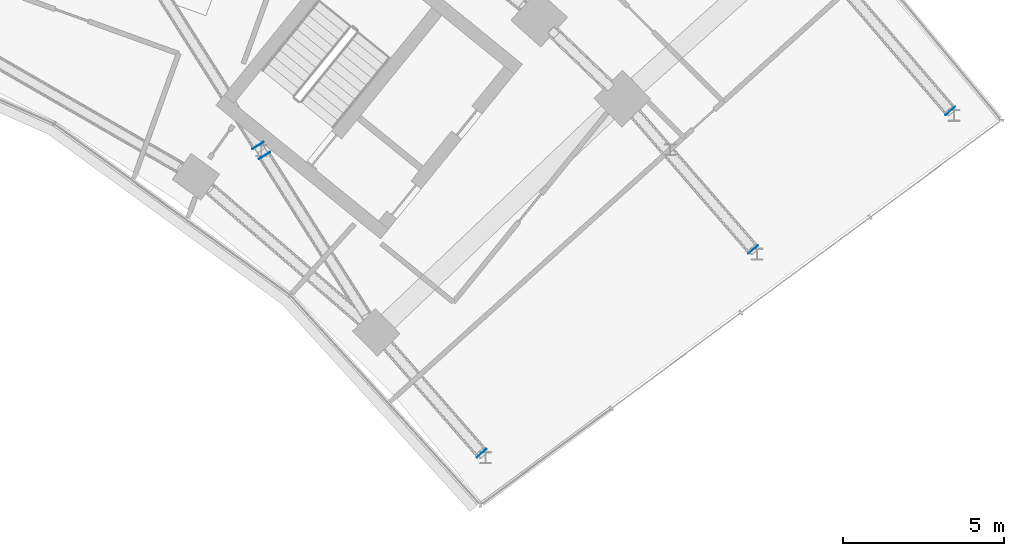
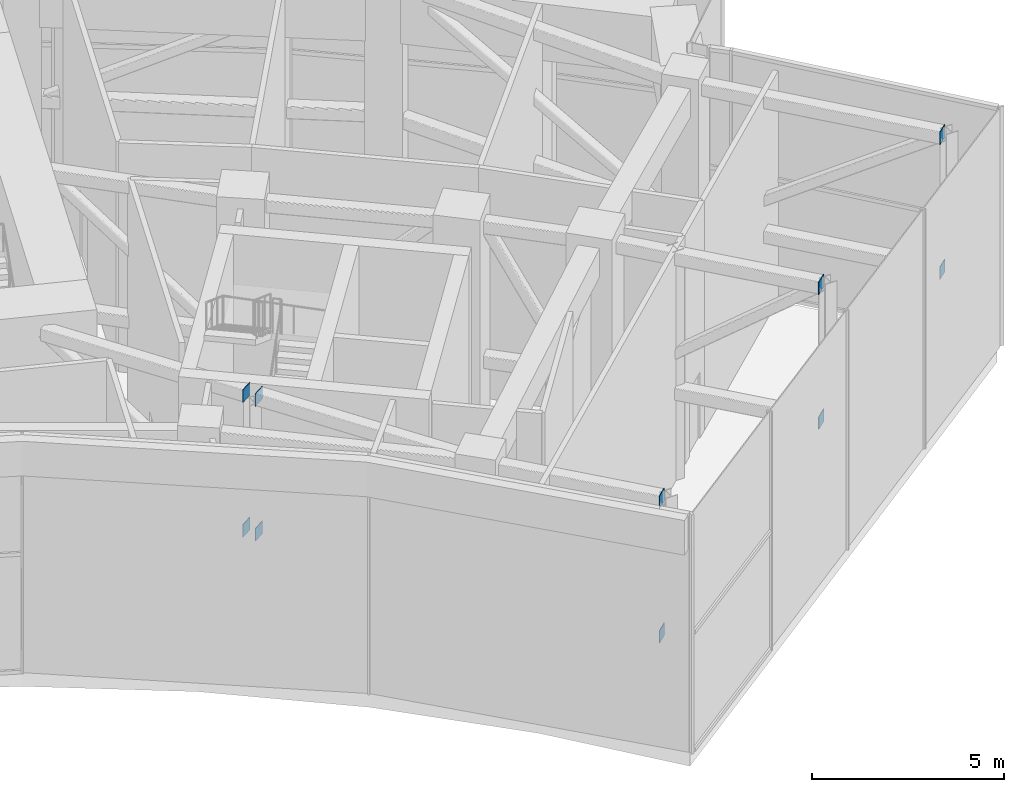
# One storey, part 22 of 32: 10 plates.
"""IFC4 building model written with IfcOpenShell, lengths in metres."""

from ifc_helpers import new_model, si_unit, direction, frame, origin, origin_2d, place, context, subcontext, project, spatial, rectangle, extrude, material, layer, layer_set, type_object, element, save


model = new_model("IFC4")

# Units and contexts
model_context = context("Model", 3, precision=1e-05, world=origin(), true_north=direction((0.0, 1.0)))
body_context = subcontext(model_context, "Body", "Model", "MODEL_VIEW")
ifc_project = project(units=[si_unit("LENGTHUNIT", "METRE"), si_unit("AREAUNIT", "SQUARE_METRE"), si_unit("VOLUMEUNIT", "CUBIC_METRE"), si_unit("PLANEANGLEUNIT", "RADIAN"), si_unit("MASSUNIT", "GRAM", prefix="KILO")], contexts=[model_context])

# Site, building, storey
site_placement = place(None, origin())
site = spatial("IfcSite", under=ifc_project, at=site_placement, CompositionType="ELEMENT")
building_placement = place(site_placement, origin())
building = spatial("IfcBuilding", under=site, at=building_placement, Name="Stone Belt Terrace Tower", CompositionType="ELEMENT")
storey_placement = place(building_placement, frame((0.0, 0.0, 193.39990234375)))
storey = spatial("IfcBuildingStorey", under=building, at=storey_placement, Name="L47", CompositionType="ELEMENT", Elevation=193.39990234375)

# Plates
ifc_material = material(Name="Structural steel C345", Category="steel")
ifc_layer = layer(ifc_material, 0.02001953125)
ifc_layer_set = layer_set([ifc_layer], Name="Chord end plate 20")
plate_type = type_object("IfcPlateType", Name="Chord end plate 20", PredefinedType="SHEET", material=ifc_layer_set)
for number, where, z_axis, x_axis, name in (
    (1, (35.01123046875, 27.361328125, 6.880126953125), (0.0, 0.0, 1.0), (0.65741470138, -0.753528971181, 0.0), "Chord end plate"),
    (2, (35.01123046875, 27.361328125, 2.60009765625), (0.0, 0.0, 1.0), (0.65741470138, -0.753528971181, 0.0), "Chord end plate"),
    (3, (43.45751953125, 33.694091796875, 6.880126953125), (0.0, 0.0, 1.0), (0.65512066438, -0.755524265065, 0.0), "Chord end plate"),
    (4, (43.45751953125, 33.694091796875, 2.60009765625), (0.0, 0.0, 1.0), (0.65512066438, -0.755524265065, 0.0), "Chord end plate"),
    (5, (49.589111328125, 38.006103515625, 6.880126953125), (0.0, 0.0, 1.0), (0.65119287465, -0.758912274248, 0.0), "Chord end plate"),
    (6, (49.589111328125, 38.006103515625, 2.60009765625), (0.0, 0.0, 1.0), (0.65119287465, -0.758912274248, 0.0), "Chord end plate"),
    (7, (28.254150390625, 36.6171875, 6.880126953125), (0.0, 0.0, 1.0), (-0.534731437494, 0.845022064656, 0.0), "Chord end plate"),
    (8, (28.254150390625, 36.6171875, 2.60009765625), (0.0, 0.0, 1.0), (-0.534731437494, 0.845022064656, 0.0), "Chord end plate"),
    (9, (28.056396484375, 36.9296875, 6.880126953125), (0.0, 0.0, 1.0), (0.534731437494, -0.845022064656, 0.0), "Chord end plate"),
    (10, (28.056396484375, 36.9296875, 2.60009765625), (0.0, 0.0, 1.0), (0.534731437494, -0.845022064656, 0.0), "Chord end plate"),
):
    element("IfcPlate", number, at=place(storey_placement, frame(where, z_axis=z_axis, x_axis=x_axis)), inside=storey, type_object=plate_type, Name=name, PredefinedType="SHEET", context=body_context, shape_type="SweptSolid", body=[
        extrude(rectangle(XDim=0.02001953125, YDim=0.39990234375, at=origin_2d()), origin(), (0.0, 0.0, 1.0), 0.39990234375),
    ])

save(model, "model.ifc")
